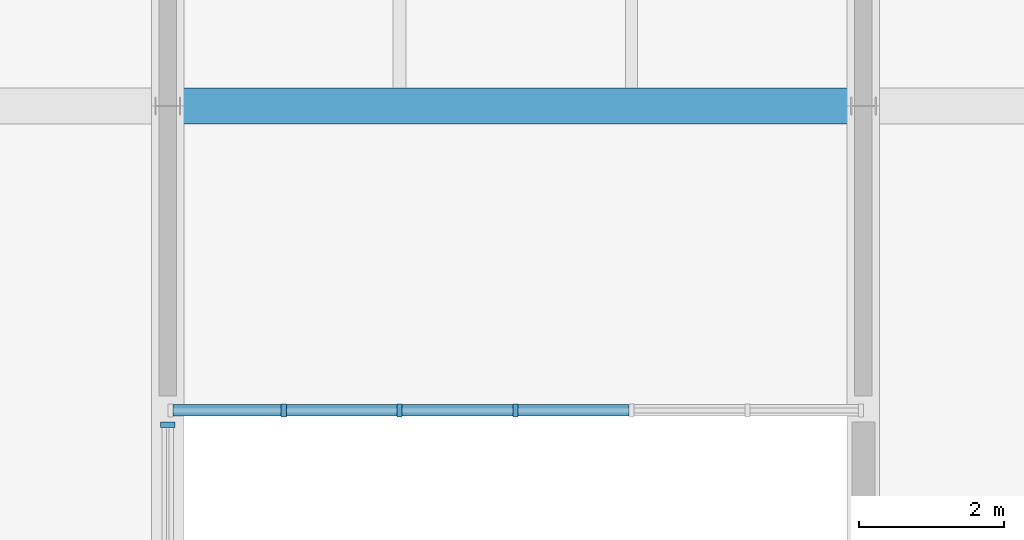
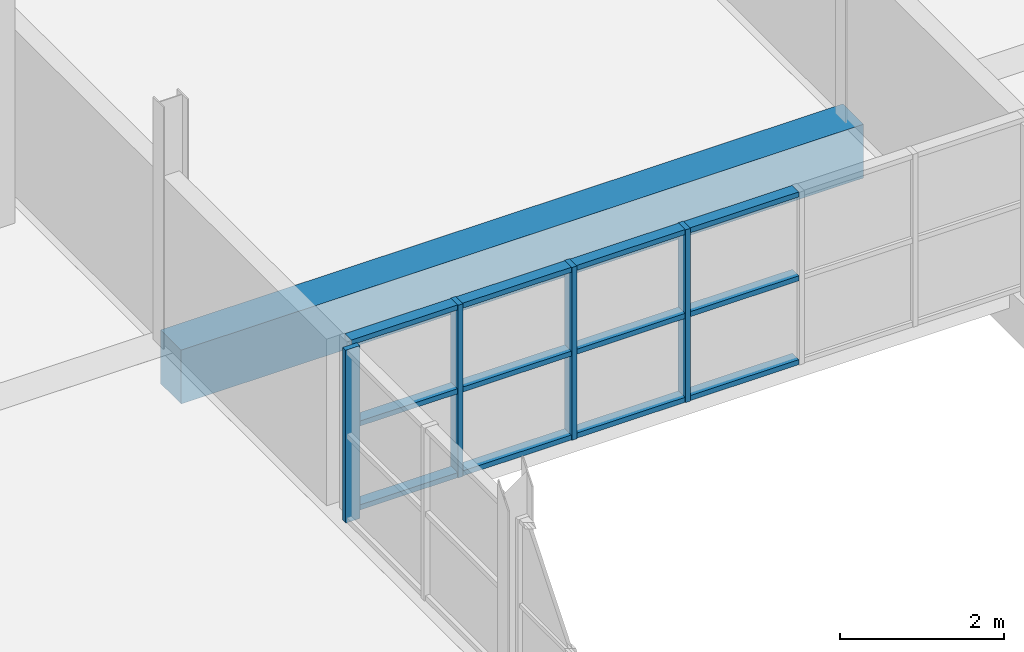
# One storey, part 36 of 147: 16 members, 1 beam, 2 elements without a shape of their own.
"""IFC4 building model written with IfcOpenShell, lengths in metres."""

import ifcopenshell
import ifcopenshell.guid

model = None  # the IFC model being written
_history = None  # IfcOwnerHistory: only IFC2X3 demands one
_inside = {}  # id of a spatial element -> (the spatial element, [elements in it])
_under = {}  # id of a project, library or spatial element -> (it, [spatial elements below it])
_declared = {}  # id of a project -> (the project, [libraries it declares])
_typed = {}  # id of a type object -> (the type object, [elements of that type])
_made_of = {}  # id of a material, layer set ... -> (it, [elements and type objects made of it])


def new_model(schema):
    """Start an empty IFC model of exactly this schema.

    Asked for "IFC4X3", IfcOpenShell would pick the latest addendum, in which some entities
    have other attributes; the version numbers below select the first issue.
    IFC2X3 requires an IfcOwnerHistory on every rooted entity: one is made here for all.
    """
    global model, _history
    if schema == "IFC4X3":
        model = ifcopenshell.file(schema_version=(4, 3, 0, 0))
    else:
        model = ifcopenshell.file(schema=schema)
    _inside.clear()
    _under.clear()
    _declared.clear()
    _typed.clear()
    _made_of.clear()
    _history = None
    if model.schema == "IFC2X3":
        org = make("IfcOrganization", Name="unknown")
        user = make(
            "IfcPersonAndOrganization",
            ThePerson=make("IfcPerson", FamilyName="unknown"),
            TheOrganization=org,
        )
        app = make(
            "IfcApplication",
            ApplicationDeveloper=org,
            Version="unknown",
            ApplicationFullName="unknown",
            ApplicationIdentifier="unknown",
        )
        _history = make(
            "IfcOwnerHistory",
            OwningUser=user,
            OwningApplication=app,
            ChangeAction="ADDED",
            CreationDate=0,
        )
    return model


def make(cls, **values):
    """One entity of the class cls with the attributes given. An attribute that is None is left unset."""
    return model.create_entity(
        cls, **{name: value for name, value in values.items() if value is not None}
    )


def rooted(cls, **values):
    """An entity with a GlobalId (a new one), such as an element, a storey or a relation."""
    return make(cls, GlobalId=ifcopenshell.guid.new(), OwnerHistory=_history, **values)


def si_unit(unit_type, name, prefix=None):
    """IfcSIUnit, for example si_unit("LENGTHUNIT", "METRE", prefix="MILLI")."""
    return make("IfcSIUnit", UnitType=unit_type, Prefix=prefix, Name=name)


def assignment(units):
    """IfcUnitAssignment: the units of a project."""
    return None if units is None else make("IfcUnitAssignment", Units=units)


def point(xyz):
    """IfcCartesianPoint."""
    return None if xyz is None else make("IfcCartesianPoint", Coordinates=xyz)


def direction(xyz):
    """IfcDirection."""
    return None if xyz is None else make("IfcDirection", DirectionRatios=xyz)


def frame(location, z_axis=None, x_axis=None):
    """IfcAxis2Placement3D, a coordinate frame: its origin and axes. An axis left out is left unset."""
    return make(
        "IfcAxis2Placement3D",
        Location=point(location),
        Axis=direction(z_axis),
        RefDirection=direction(x_axis),
    )


def frame_2d(location, x_axis=None):
    """IfcAxis2Placement2D, a coordinate frame in the plane: its origin and x axis."""
    return make(
        "IfcAxis2Placement2D", Location=point(location), RefDirection=direction(x_axis)
    )


def origin():
    """The frame at (0, 0, 0) with its axes left unset."""
    return frame((0.0, 0.0, 0.0))


def origin_2d():
    """The frame at (0, 0) in the plane with its x axis left unset."""
    return frame_2d((0.0, 0.0))


def place(relative_to, where):
    """IfcLocalPlacement: puts the frame where relative to a parent placement (None: the world)."""
    return make(
        "IfcLocalPlacement", PlacementRelTo=relative_to, RelativePlacement=where
    )


def context(
    kind, dimensions, precision=None, world=None, true_north=None, identifier=None
):
    """IfcGeometricRepresentationContext, for example the 3D "Model" context."""
    return make(
        "IfcGeometricRepresentationContext",
        ContextIdentifier=identifier,
        ContextType=kind,
        CoordinateSpaceDimension=dimensions,
        Precision=precision,
        WorldCoordinateSystem=world,
        TrueNorth=true_north,
    )


def subcontext(parent, identifier, kind, view, scale=None):
    """IfcGeometricRepresentationSubContext, for example "Body" below "Model"."""
    return make(
        "IfcGeometricRepresentationSubContext",
        ContextIdentifier=identifier,
        ContextType=kind,
        ParentContext=parent,
        TargetScale=scale,
        TargetView=view,
    )


def project(units=None, contexts=None):
    """IfcProject with its units and contexts."""
    return rooted(
        "IfcProject",
        Name="project",
        RepresentationContexts=contexts,
        UnitsInContext=assignment(units),
    )


def spatial(cls, under=None, at=None, **own):
    """A site, building, storey or space (cls), placed at a placement, below another one or the project."""
    s = rooted(cls, ObjectPlacement=at, **own)
    if under is not None:
        _under.setdefault(under.id(), (under, []))[1].append(s)
    return s


def profile(cls, at=None, kind="AREA", **sizes):
    """A parametric profile (cls). Its sizes go by their IFC names, for example OverallWidth=200.0."""
    return make(cls, ProfileType=kind, Position=at, **sizes)


def rectangle(**sizes):
    """IfcRectangleProfileDef."""
    return profile("IfcRectangleProfileDef", **sizes)


def extrude(swept, where, along, depth):
    """IfcExtrudedAreaSolid: the profile swept, set in the frame where, extruded along a direction by depth."""
    return make(
        "IfcExtrudedAreaSolid",
        SweptArea=swept,
        Position=where,
        ExtrudedDirection=direction(along),
        Depth=depth,
    )


def shape(context_of_items, identifier, shape_type, items):
    """IfcShapeRepresentation: the items that make up one representation, for example the "Body"."""
    return make(
        "IfcShapeRepresentation",
        ContextOfItems=context_of_items,
        RepresentationIdentifier=identifier,
        RepresentationType=shape_type,
        Items=items,
    )


def material(Name=None, Category=None):
    """IfcMaterial."""
    return make("IfcMaterial", Name=Name, Category=Category)


def material_profile(
    of_material, cross_section, Name=None, Category=None, Priority=None
):
    """IfcMaterialProfile: a cross section and its material."""
    return make(
        "IfcMaterialProfile",
        Name=Name,
        Material=of_material,
        Profile=cross_section,
        Priority=Priority,
        Category=Category,
    )


def profile_set(profiles, Name=None, composite=None):
    """IfcMaterialProfileSet."""
    return make(
        "IfcMaterialProfileSet",
        Name=Name,
        MaterialProfiles=profiles,
        CompositeProfile=composite,
    )


def made_of(thing, what):
    """Note that an element or type object is made of a material, layer set ...; save() writes the relation."""
    if what is not None:
        _made_of.setdefault(what.id(), (what, []))[1].append(thing)
    return thing


def type_object(cls, material=None, **own):
    """A type object (cls), such as IfcWallType, which elements share."""
    return made_of(rooted(cls, **own), material)


def element(
    cls,
    number,
    at=None,
    inside=None,
    cuts=None,
    type_object=None,
    material=None,
    context=None,
    identifier="Body",
    shape_type=None,
    held_by="IfcProductDefinitionShape",
    body=None,
    shapes=None,
    **own,
):
    """One element of the class cls, such as IfcWall. Its Tag is "e" and its number.

    at: its placement. inside: the storey or other place that contains it. cuts: it is an
    opening in that element (IfcRelVoidsElement). A single representation is given by context,
    identifier, shape_type and body (its items); several are given by shapes. held_by: the class
    of the entity that holds the representations. save() writes the other relations.
    """
    e = rooted(cls, Tag="e%d" % number, ObjectPlacement=at, **own)
    if body is not None:
        shapes = [shape(context, identifier, shape_type, body)]
    if shapes is not None:
        e.Representation = make(held_by, Representations=shapes)
    if inside is not None:
        _inside.setdefault(inside.id(), (inside, []))[1].append(e)
    if cuts is not None:
        rooted(
            "IfcRelVoidsElement", RelatingBuildingElement=cuts, RelatedOpeningElement=e
        )
    if type_object is not None:
        _typed.setdefault(type_object.id(), (type_object, []))[1].append(e)
    return made_of(e, material)


def aggregate(whole, parts):
    """IfcRelAggregates: a whole, such as a stair, and the parts it consists of."""
    return rooted("IfcRelAggregates", RelatingObject=whole, RelatedObjects=parts)


def save(model, path):
    """Write the relations noted so far, then the file.

    IfcRelAggregates (storeys below a building ...), IfcRelContainedInSpatialStructure (elements
    in a storey), IfcRelDefinesByType, IfcRelAssociatesMaterial and IfcRelDeclares: one each for
    every whole, place, type object, material and project.
    """
    for whole, parts in _under.values():
        aggregate(whole, parts)
    for where, things in _inside.values():
        rooted(
            "IfcRelContainedInSpatialStructure",
            RelatedElements=things,
            RelatingStructure=where,
        )
    for kind, things in _typed.values():
        rooted("IfcRelDefinesByType", RelatedObjects=things, RelatingType=kind)
    for what, things in _made_of.values():
        rooted("IfcRelAssociatesMaterial", RelatedObjects=things, RelatingMaterial=what)
    for by, libraries in _declared.values():
        rooted("IfcRelDeclares", RelatingContext=by, RelatedDefinitions=libraries)
    model.write(path)


model = new_model("IFC4")

# Units and contexts
model_context = context("Model", 3, precision=1e-05, world=origin(), true_north=direction((0.0, 1.0)))
body_context = subcontext(model_context, "Body", "Model", "MODEL_VIEW")
ifc_project = project(units=[si_unit("LENGTHUNIT", "METRE"), si_unit("AREAUNIT", "SQUARE_METRE"), si_unit("VOLUMEUNIT", "CUBIC_METRE"), si_unit("PLANEANGLEUNIT", "RADIAN"), si_unit("MASSUNIT", "GRAM", prefix="KILO")], contexts=[model_context])

# Site, building, storey
site_placement = place(None, origin())
site = spatial("IfcSite", under=ifc_project, at=site_placement, CompositionType="ELEMENT")
building_placement = place(site_placement, origin())
building = spatial("IfcBuilding", under=site, at=building_placement, Name="Oolite Switchyard Hospital", CompositionType="ELEMENT")
storey_placement = place(building_placement, frame((0.0, 0.0, 9.89990234375)))
storey = spatial("IfcBuildingStorey", under=building, at=storey_placement, Name="L02", CompositionType="ELEMENT", Elevation=9.89990234375)

# Beam
ifc_material_1 = material(Name="Concrete C40/50", Category="concrete")
ifc_material_profile_1 = material_profile(ifc_material_1, rectangle(XDim=0.5, YDim=0.800048828125, at=origin_2d()), Name="RCB500X800")
ifc_profile_set_1 = profile_set([ifc_material_profile_1], Name="Concrete C40/50")
beam_type = type_object("IfcBeamType", Name="BM-RC500X800", PredefinedType="BEAM", material=ifc_profile_set_1)
beam_placement = place(storey_placement, frame((57.60009765625, 92.39990234375, -0.39990234375), z_axis=(1.0, 0.0, 0.0), x_axis=(0.0, 1.0, 0.0)))
element("IfcBeam", 1, at=beam_placement, inside=storey, type_object=beam_type, Name="L02 X-Girder 1148", PredefinedType="BEAM", context=body_context, shape_type="SweptSolid", body=[
    extrude(rectangle(XDim=0.5, YDim=0.800048828125, at=origin_2d()), origin(), (0.0, 0.0, 1.0), 9.599853515625),
])

# Curtain wall, members
ifc_material_2 = material(Name="Thermally broken aluminum frame with laminated impact glazing", Category="aluminium")
curtain_wall_type_1 = type_object("IfcCurtainWallType", Name="CW-UNIT-96X36", PredefinedType="USERDEFINED", material=ifc_material_2)
curtain_wall_1_placement = place(storey_placement, origin())
curtain_wall_1 = element("IfcCurtainWall", 2, at=curtain_wall_1_placement, inside=storey, type_object=curtain_wall_type_1, Name="L02 Unitised Curtain Wall 257", ObjectType="UNITISED", PredefinedType="USERDEFINED")
ifc_material_3 = material(Name="Aluminium 6063-T6", Category="aluminium")
ifc_material_profile_2 = material_profile(ifc_material_3, rectangle(XDim=0.179931640625, YDim=0.070068359375, at=origin_2d()), Name="CWM70X180")
ifc_profile_set_2 = profile_set([ifc_material_profile_2], Name="Aluminium 6063-T6")
member_type_1 = type_object("IfcMemberType", Name="CW-MUL-220", PredefinedType="MULLION", material=ifc_profile_set_2)
member_1_placement = place(storey_placement, frame((62.39990234375, 88.199951171875, 0.0), z_axis=(0.0, 0.0, 1.0), x_axis=(0.0, -1.0, 0.0)))
member_1 = element("IfcMember", 3, at=member_1_placement, type_object=member_type_1, Name="CW-03 mullion 4", PredefinedType="MULLION", context=body_context, shape_type="SweptSolid", body=[
    extrude(rectangle(XDim=0.179931640625, YDim=0.070068359375, at=origin_2d()), origin(), (0.0, 0.0, 1.0), 2.570068359375),
])
member_2_placement = place(storey_placement, frame((60.800048828125, 88.199951171875, 0.0), z_axis=(0.0, 0.0, 1.0), x_axis=(0.0, -1.0, 0.0)))
member_2 = element("IfcMember", 4, at=member_2_placement, type_object=member_type_1, Name="CW-03 mullion 5", PredefinedType="MULLION", context=body_context, shape_type="SweptSolid", body=[
    extrude(rectangle(XDim=0.179931640625, YDim=0.070068359375, at=origin_2d()), origin(), (0.0, 0.0, 1.0), 2.570068359375),
])
member_3_placement = place(storey_placement, frame((59.199951171875, 88.199951171875, 0.0), z_axis=(0.0, 0.0, 1.0), x_axis=(0.0, -1.0, 0.0)))
member_3 = element("IfcMember", 5, at=member_3_placement, type_object=member_type_1, Name="CW-03 mullion 6", PredefinedType="MULLION", context=body_context, shape_type="SweptSolid", body=[
    extrude(rectangle(XDim=0.179931640625, YDim=0.070068359375, at=origin_2d()), origin(), (0.0, 0.0, 1.0), 2.570068359375),
])

# Curtain wall, member
curtain_wall_type_2 = type_object("IfcCurtainWallType", Name="CW-UNIT-84X36", PredefinedType="USERDEFINED", material=ifc_material_2)
curtain_wall_2_placement = place(storey_placement, origin())
curtain_wall_2 = element("IfcCurtainWall", 6, at=curtain_wall_2_placement, inside=storey, type_object=curtain_wall_type_2, Name="L02 Unitised Curtain Wall 285", ObjectType="UNITISED", PredefinedType="USERDEFINED")
ifc_material_profile_3 = material_profile(ifc_material_3, rectangle(XDim=0.199951171875, YDim=0.074951171875, at=origin_2d()), Name="CWM75X200")
ifc_profile_set_3 = profile_set([ifc_material_profile_3], Name="Aluminium 6063-T6")
member_type_2 = type_object("IfcMemberType", Name="CW-MUL-260", PredefinedType="MULLION", material=ifc_profile_set_3)
member_4_placement = place(storey_placement, frame((57.60009765625, 88.00244140625, 0.0), z_axis=(0.0, 0.0, 1.0), x_axis=(1.0, 0.0, 0.0)))
member_4 = element("IfcMember", 7, at=member_4_placement, type_object=member_type_2, Name="CW-08 mullion 1", PredefinedType="MULLION", context=body_context, shape_type="SweptSolid", body=[
    extrude(rectangle(XDim=0.199951171875, YDim=0.074951171875, at=origin_2d()), origin(), (0.0, 0.0, 1.0), 2.570068359375),
])
aggregate(curtain_wall_2, [member_4])

# Member
ifc_material_profile_4 = material_profile(ifc_material_3, rectangle(XDim=0.159912109375, YDim=0.074951171875, at=origin_2d()), Name="CWT75X160")
ifc_profile_set_4 = profile_set([ifc_material_profile_4], Name="Aluminium 6063-T6")
member_type_3 = type_object("IfcMemberType", Name="CW-TRN-180", PredefinedType="USERDEFINED", material=ifc_profile_set_4)
member_5_placement = place(storey_placement, frame((63.965087890625, 88.199951171875, 0.03759765625), z_axis=(-1.0, 0.0, 0.0), x_axis=(0.0, -1.0, 0.0)))
member_5 = element("IfcMember", 8, at=member_5_placement, type_object=member_type_3, Name="CW-03 transom 3.1", ObjectType="TRANSOM", PredefinedType="USERDEFINED", context=body_context, shape_type="SweptSolid", body=[
    extrude(rectangle(XDim=0.159912109375, YDim=0.074951171875, at=origin_2d()), origin(), (0.0, 0.0, 1.0), 1.530029296875),
])

member_6_placement = place(storey_placement, frame((63.965087890625, 88.199951171875, 1.28515625), z_axis=(-1.0, 0.0, 0.0), x_axis=(0.0, -1.0, 0.0)))
member_6 = element("IfcMember", 9, at=member_6_placement, type_object=member_type_3, Name="CW-03 transom 3.2", ObjectType="TRANSOM", PredefinedType="USERDEFINED", context=body_context, shape_type="SweptSolid", body=[
    extrude(rectangle(XDim=0.159912109375, YDim=0.074951171875, at=origin_2d()), origin(), (0.0, 0.0, 1.0), 1.530029296875),
])

member_7_placement = place(storey_placement, frame((63.965087890625, 88.199951171875, 2.53271484375), z_axis=(-1.0, 0.0, 0.0), x_axis=(0.0, -1.0, 0.0)))
member_7 = element("IfcMember", 10, at=member_7_placement, type_object=member_type_3, Name="CW-03 transom 3.3", ObjectType="TRANSOM", PredefinedType="USERDEFINED", context=body_context, shape_type="SweptSolid", body=[
    extrude(rectangle(XDim=0.159912109375, YDim=0.074951171875, at=origin_2d()), origin(), (0.0, 0.0, 1.0), 1.530029296875),
])

member_8_placement = place(storey_placement, frame((62.364990234375, 88.199951171875, 0.03759765625), z_axis=(-1.0, 0.0, 0.0), x_axis=(0.0, -1.0, 0.0)))
member_8 = element("IfcMember", 11, at=member_8_placement, type_object=member_type_3, Name="CW-03 transom 4.1", ObjectType="TRANSOM", PredefinedType="USERDEFINED", context=body_context, shape_type="SweptSolid", body=[
    extrude(rectangle(XDim=0.159912109375, YDim=0.074951171875, at=origin_2d()), origin(), (0.0, 0.0, 1.0), 1.530029296875),
])

member_9_placement = place(storey_placement, frame((62.364990234375, 88.199951171875, 1.28515625), z_axis=(-1.0, 0.0, 0.0), x_axis=(0.0, -1.0, 0.0)))
member_9 = element("IfcMember", 12, at=member_9_placement, type_object=member_type_3, Name="CW-03 transom 4.2", ObjectType="TRANSOM", PredefinedType="USERDEFINED", context=body_context, shape_type="SweptSolid", body=[
    extrude(rectangle(XDim=0.159912109375, YDim=0.074951171875, at=origin_2d()), origin(), (0.0, 0.0, 1.0), 1.530029296875),
])

member_10_placement = place(storey_placement, frame((62.364990234375, 88.199951171875, 2.53271484375), z_axis=(-1.0, 0.0, 0.0), x_axis=(0.0, -1.0, 0.0)))
member_10 = element("IfcMember", 13, at=member_10_placement, type_object=member_type_3, Name="CW-03 transom 4.3", ObjectType="TRANSOM", PredefinedType="USERDEFINED", context=body_context, shape_type="SweptSolid", body=[
    extrude(rectangle(XDim=0.159912109375, YDim=0.074951171875, at=origin_2d()), origin(), (0.0, 0.0, 1.0), 1.530029296875),
])

member_11_placement = place(storey_placement, frame((60.764892578125, 88.199951171875, 0.03759765625), z_axis=(-1.0, 0.0, 0.0), x_axis=(0.0, -1.0, 0.0)))
member_11 = element("IfcMember", 14, at=member_11_placement, type_object=member_type_3, Name="CW-03 transom 5.1", ObjectType="TRANSOM", PredefinedType="USERDEFINED", context=body_context, shape_type="SweptSolid", body=[
    extrude(rectangle(XDim=0.159912109375, YDim=0.074951171875, at=origin_2d()), origin(), (0.0, 0.0, 1.0), 1.52978515625),
])

member_12_placement = place(storey_placement, frame((60.764892578125, 88.199951171875, 1.28515625), z_axis=(-1.0, 0.0, 0.0), x_axis=(0.0, -1.0, 0.0)))
member_12 = element("IfcMember", 15, at=member_12_placement, type_object=member_type_3, Name="CW-03 transom 5.2", ObjectType="TRANSOM", PredefinedType="USERDEFINED", context=body_context, shape_type="SweptSolid", body=[
    extrude(rectangle(XDim=0.159912109375, YDim=0.074951171875, at=origin_2d()), origin(), (0.0, 0.0, 1.0), 1.52978515625),
])

member_13_placement = place(storey_placement, frame((60.764892578125, 88.199951171875, 2.53271484375), z_axis=(-1.0, 0.0, 0.0), x_axis=(0.0, -1.0, 0.0)))
member_13 = element("IfcMember", 16, at=member_13_placement, type_object=member_type_3, Name="CW-03 transom 5.3", ObjectType="TRANSOM", PredefinedType="USERDEFINED", context=body_context, shape_type="SweptSolid", body=[
    extrude(rectangle(XDim=0.159912109375, YDim=0.074951171875, at=origin_2d()), origin(), (0.0, 0.0, 1.0), 1.52978515625),
])

member_14_placement = place(storey_placement, frame((59.1650390625, 88.199951171875, 0.03759765625), z_axis=(-1.0, 0.0, 0.0), x_axis=(0.0, -1.0, 0.0)))
member_14 = element("IfcMember", 17, at=member_14_placement, type_object=member_type_3, Name="CW-03 transom 6.1", ObjectType="TRANSOM", PredefinedType="USERDEFINED", context=body_context, shape_type="SweptSolid", body=[
    extrude(rectangle(XDim=0.159912109375, YDim=0.074951171875, at=origin_2d()), origin(), (0.0, 0.0, 1.0), 1.4951171875),
])

member_15_placement = place(storey_placement, frame((59.1650390625, 88.199951171875, 1.28515625), z_axis=(-1.0, 0.0, 0.0), x_axis=(0.0, -1.0, 0.0)))
member_15 = element("IfcMember", 18, at=member_15_placement, type_object=member_type_3, Name="CW-03 transom 6.2", ObjectType="TRANSOM", PredefinedType="USERDEFINED", context=body_context, shape_type="SweptSolid", body=[
    extrude(rectangle(XDim=0.159912109375, YDim=0.074951171875, at=origin_2d()), origin(), (0.0, 0.0, 1.0), 1.4951171875),
])

member_16_placement = place(storey_placement, frame((59.1650390625, 88.199951171875, 2.53271484375), z_axis=(-1.0, 0.0, 0.0), x_axis=(0.0, -1.0, 0.0)))
member_16 = element("IfcMember", 19, at=member_16_placement, type_object=member_type_3, Name="CW-03 transom 6.3", ObjectType="TRANSOM", PredefinedType="USERDEFINED", context=body_context, shape_type="SweptSolid", body=[
    extrude(rectangle(XDim=0.159912109375, YDim=0.074951171875, at=origin_2d()), origin(), (0.0, 0.0, 1.0), 1.4951171875),
])

aggregate(curtain_wall_1, [member_1, member_2, member_3, member_5, member_6, member_7, member_8, member_9, member_10, member_11, member_12, member_13, member_14, member_15, member_16])

save(model, "model.ifc")
